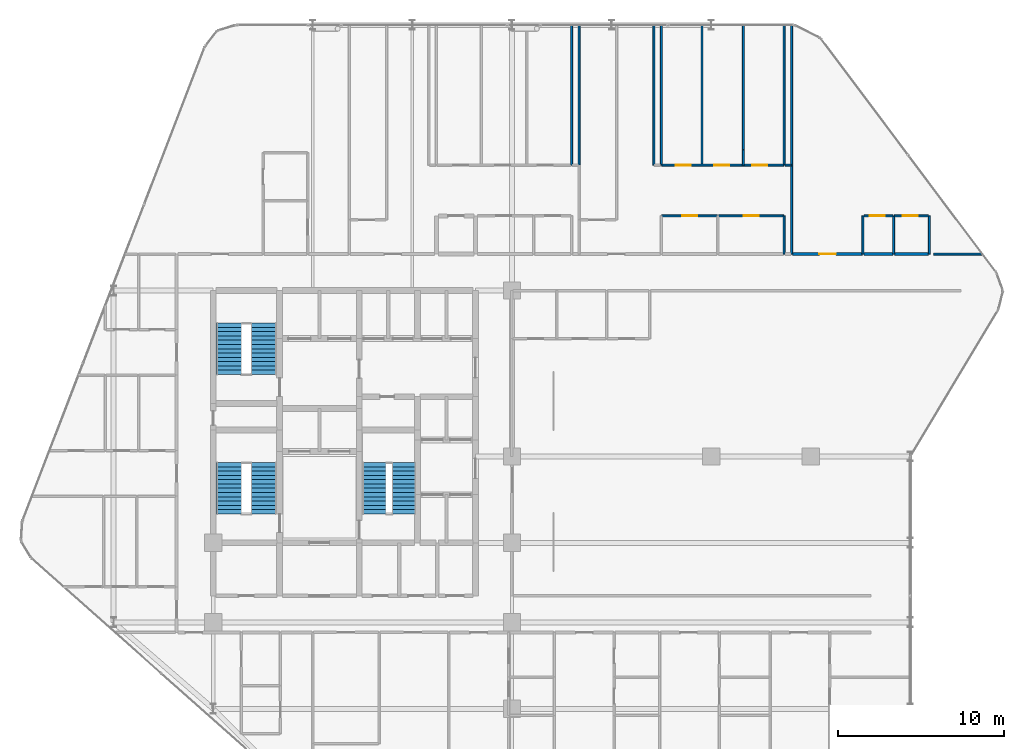
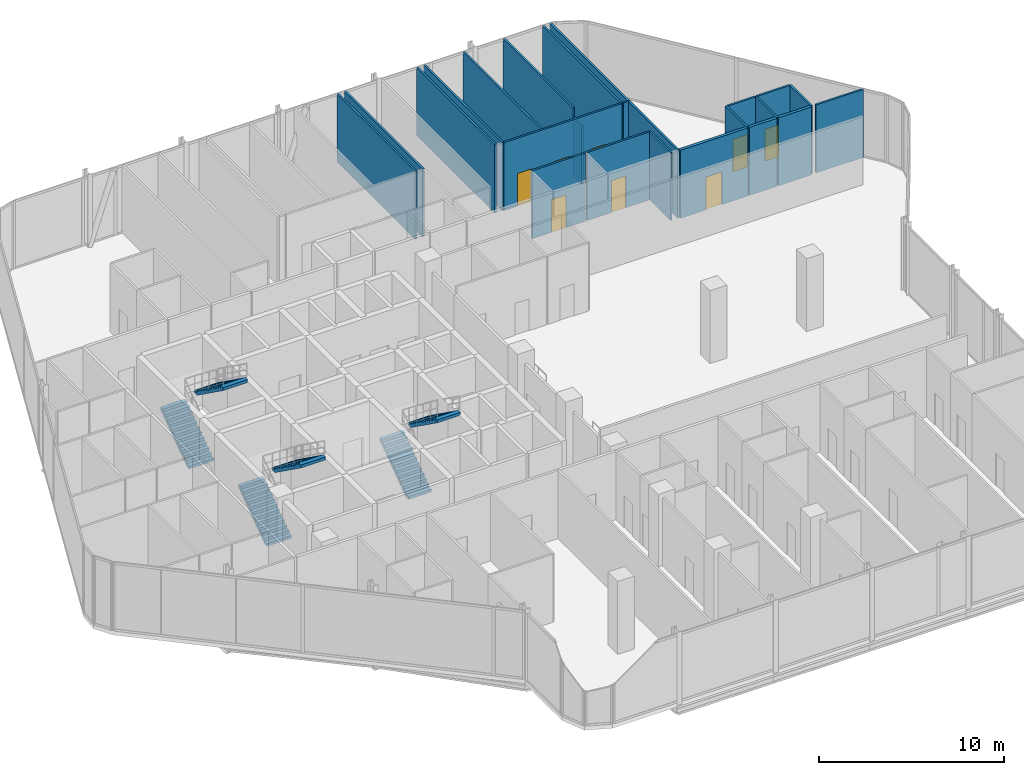
# One storey, part 28 of 29: 24 walls, 8 doors, 6 stair flights, 8 openings, 3 elements without a shape of their own.
"""IFC4 building model written with IfcOpenShell, lengths in metres."""

from ifc_helpers import new_model, si_unit, direction, frame, frame_2d, origin, place, context, subcontext, project, spatial, polyline, rectangle, outline, extrude, material, layer, layer_set, type_object, element, fill, aggregate, save


model = new_model("IFC4")

# Units and contexts
model_context = context("Model", 3, precision=1e-05, world=origin(), true_north=direction((0.0, 1.0)))
body_context = subcontext(model_context, "Body", "Model", "MODEL_VIEW")
ifc_project = project(units=[si_unit("LENGTHUNIT", "METRE"), si_unit("AREAUNIT", "SQUARE_METRE"), si_unit("VOLUMEUNIT", "CUBIC_METRE"), si_unit("PLANEANGLEUNIT", "RADIAN"), si_unit("MASSUNIT", "GRAM", prefix="KILO")], contexts=[model_context])

# Site, building, storey
site_placement = place(None, origin())
site = spatial("IfcSite", under=ifc_project, at=site_placement, CompositionType="ELEMENT")
building_placement = place(site_placement, origin())
building = spatial("IfcBuilding", under=site, at=building_placement, Name="Keshet Zoharim Tower", CompositionType="ELEMENT")
storey_placement = place(building_placement, frame((0.0, 0.0, 120.5)))
storey = spatial("IfcBuildingStorey", under=building, at=storey_placement, Name="L29", CompositionType="ELEMENT", Elevation=120.5)

# Wall, opening, door
ifc_material_1 = material(Name="Gypsum Plasterboard", Category="gypsum")
ifc_layer_1 = layer(ifc_material_1, 0.179931640625)
ifc_layer_set_1 = layer_set([ifc_layer_1], Name="Gypsum Plasterboard")
wall_type_1 = type_object("IfcWallType", Name="WL-CORR-180", PredefinedType="STANDARD", material=ifc_layer_set_1)
wall_1_placement = place(storey_placement, frame((49.9150390625, 40.10009765625, 0.0), z_axis=(0.0, 0.0, 1.0), x_axis=(1.0, 0.0, 0.0)))
wall_1 = element("IfcWall", 1, at=wall_1_placement, inside=storey, type_object=wall_type_1, Name="L29 Interior Wall 198", PredefinedType="STANDARD", context=body_context, shape_type="SweptSolid", body=[
    extrude(rectangle(XDim=4.2099609375, YDim=0.179931640625, at=frame_2d((2.10498046875, 0.0))), origin(), (0.0, 0.0, 1.0), 4.47998046875),
])
opening_1_placement = place(wall_1_placement, frame((1.60498046875, 0.0, 0.0)))
opening_1 = element("IfcOpeningElement", 2, at=opening_1_placement, cuts=wall_1, Name="Opening D-F310", PredefinedType="OPENING", context=body_context, shape_type="SweptSolid", body=[
    extrude(rectangle(XDim=1.0, YDim=2.14990234375, at=frame_2d((0.5, 1.074951171875))), frame((0.0, 0.10009765625, 0.0), z_axis=(0.0, -1.0, 0.0), x_axis=(1.0, 0.0, 0.0)), (0.0, 0.0, 1.0), 0.199951171875),
])
ifc_material_2 = material(Name="Hardwood Timber", Category="wood")
door_type_1 = type_object("IfcDoorType", Name="DR-FD30-100", OperationType="NOTDEFINED", PredefinedType="DOOR", material=ifc_material_2)
door_1_placement = place(opening_1_placement, origin())
door_1 = element("IfcDoor", 3, at=door_1_placement, inside=storey, type_object=door_type_1, Name="Apartment 2909 Entrance Door", OperationType="SINGLE_SWING_RIGHT", OverallHeight=2.14990234375, OverallWidth=1.0, PredefinedType="DOOR", context=body_context, shape_type="SweptSolid", body=[
    extrude(rectangle(XDim=1.0, YDim=2.14990234375, at=frame_2d((0.5, 1.074951171875))), frame((0.0, 0.02490234375, 0.0), z_axis=(0.0, -1.0, 0.0), x_axis=(1.0, 0.0, 0.0)), (0.0, 0.0, 1.0), 0.050048828125),
])
fill(opening_1, door_1)

# Walls
wall_2_placement = place(storey_placement, frame((54.215087890625, 40.10009765625, 0.0), z_axis=(0.0, 0.0, 1.0), x_axis=(1.0, 0.0, 0.0)))
element("IfcWall", 4, at=wall_2_placement, inside=storey, type_object=wall_type_1, Name="L29 Interior Wall 199", PredefinedType="STANDARD", context=body_context, shape_type="SweptSolid", body=[
    extrude(rectangle(XDim=1.73486328125, YDim=0.179931640625, at=frame_2d((0.867431640625, 0.0))), origin(), (0.0, 0.0, 1.0), 4.47998046875),
])
wall_3_placement = place(storey_placement, frame((56.0400390625, 40.10009765625, 0.0), z_axis=(0.0, 0.0, 1.0), x_axis=(1.0, 0.0, 0.0)))
element("IfcWall", 5, at=wall_3_placement, inside=storey, type_object=wall_type_1, Name="L29 Interior Wall 200", PredefinedType="STANDARD", context=body_context, shape_type="SweptSolid", body=[
    extrude(rectangle(XDim=2.052978515625, YDim=0.179931640625, at=frame_2d((1.0263671875, 0.0))), origin(), (0.0, 0.0, 1.0), 4.47998046875),
])
ifc_layer_2 = layer(ifc_material_1, 0.1201171875)
ifc_layer_set_2 = layer_set([ifc_layer_2], Name="Gypsum Plasterboard")
wall_type_2 = type_object("IfcWallType", Name="WL-PART-120", PredefinedType="PARTITIONING", material=ifc_layer_set_2)
for number, where, z_axis, x_axis, name in (
    (6, (36.60009765625, 45.449951171875, 0.0), (0.0, 0.0, 1.0), (0.0, 1.0, 0.0), "L29 Interior Wall 080"),
    (7, (37.050048828125, 45.449951171875, 0.0), (0.0, 0.0, 1.0), (0.0, 1.0, 0.0), "L29 Interior Wall 083"),
    (8, (41.550048828125, 45.449951171875, 0.0), (0.0, 0.0, 1.0), (0.0, 1.0, 0.0), "L29 Interior Wall 090"),
    (9, (42.0, 45.449951171875, 0.0), (0.0, 0.0, 1.0), (0.0, 1.0, 0.0), "L29 Interior Wall 095"),
    (10, (44.449951171875, 45.449951171875, 0.0), (0.0, 0.0, 1.0), (0.0, 1.0, 0.0), "L29 Interior Wall 096"),
):
    element("IfcWall", number, at=place(storey_placement, frame(where, z_axis=z_axis, x_axis=x_axis)), inside=storey, type_object=wall_type_2, Name=name, PredefinedType="PARTITIONING", context=body_context, shape_type="SweptSolid", body=[
        extrude(rectangle(XDim=8.43994140625, YDim=0.1201171875, at=frame_2d((4.219970703125, 0.0))), origin(), (0.0, 0.0, 1.0), 4.47998046875),
    ])
wall_4_placement = place(storey_placement, frame((46.949951171875, 45.449951171875, 0.0), z_axis=(0.0, 0.0, 1.0), x_axis=(0.0, 1.0, 0.0)))
element("IfcWall", 11, at=wall_4_placement, inside=storey, type_object=wall_type_2, Name="L29 Interior Wall 101", PredefinedType="PARTITIONING", context=body_context, shape_type="SweptSolid", body=[
    extrude(rectangle(XDim=0.92724609375, YDim=0.1201171875, at=frame_2d((0.463623046875, 0.0))), origin(), (0.0, 0.0, 1.0), 3.8798828125),
])
wall_5_placement = place(storey_placement, frame((49.39990234375, 45.449951171875, 0.0), z_axis=(0.0, 0.0, 1.0), x_axis=(0.0, 1.0, 0.0)))
element("IfcWall", 12, at=wall_5_placement, inside=storey, type_object=wall_type_2, Name="L29 Interior Wall 106", PredefinedType="PARTITIONING", context=body_context, shape_type="SweptSolid", body=[
    extrude(rectangle(XDim=8.43994140625, YDim=0.1201171875, at=frame_2d((4.219970703125, 0.0))), origin(), (0.0, 0.0, 1.0), 4.47998046875),
])
wall_6_placement = place(storey_placement, frame((49.85009765625, 40.10009765625, 0.0), z_axis=(0.0, 0.0, 1.0), x_axis=(0.0, 1.0, 0.0)))
element("IfcWall", 13, at=wall_6_placement, inside=storey, type_object=wall_type_2, Name="L29 Interior Wall 107", PredefinedType="PARTITIONING", context=body_context, shape_type="SweptSolid", body=[
    extrude(rectangle(XDim=5.349853515625, YDim=0.1201171875, at=frame_2d((2.6748046875, 0.0))), origin(), (0.0, 0.0, 1.0), 4.47998046875),
])
wall_7_placement = place(storey_placement, frame((49.85009765625, 45.449951171875, 0.0), z_axis=(0.0, 0.0, 1.0), x_axis=(0.0, 1.0, 0.0)))
element("IfcWall", 14, at=wall_7_placement, inside=storey, type_object=wall_type_2, Name="L29 Interior Wall 108", PredefinedType="PARTITIONING", context=body_context, shape_type="SweptSolid", body=[
    extrude(rectangle(XDim=8.43994140625, YDim=0.1201171875, at=frame_2d((4.219970703125, 0.0))), origin(), (0.0, 0.0, 1.0), 4.47998046875),
])
wall_8_placement = place(storey_placement, frame((54.14990234375, 40.10009765625, 0.0), z_axis=(0.0, 0.0, 1.0), x_axis=(0.0, 1.0, 0.0)))
element("IfcWall", 15, at=wall_8_placement, inside=storey, type_object=wall_type_2, Name="L29 Interior Wall 112", PredefinedType="PARTITIONING", context=body_context, shape_type="SweptSolid", body=[
    extrude(rectangle(XDim=2.2998046875, YDim=0.1201171875, at=frame_2d((1.14990234375, 0.0))), origin(), (0.0, 0.0, 1.0), 4.47998046875),
])
wall_9_placement = place(storey_placement, frame((58.39990234375, 40.10009765625, 0.0), z_axis=(0.0, 0.0, 1.0), x_axis=(1.0, 0.0, 0.0)))
element("IfcWall", 16, at=wall_9_placement, inside=storey, type_object=wall_type_2, Name="L29 Interior Wall 201", PredefinedType="PARTITIONING", context=body_context, shape_type="SweptSolid", body=[
    extrude(rectangle(XDim=2.940185546875, YDim=0.1201171875, at=frame_2d((1.47021484375, 0.0))), origin(), (0.0, 0.0, 1.0), 4.47998046875),
])

# Wall, opening, door
wall_10_placement = place(storey_placement, frame((42.034912109375, 42.39990234375, 0.0), z_axis=(0.0, 0.0, 1.0), x_axis=(1.0, 0.0, 0.0)))
wall_10 = element("IfcWall", 17, at=wall_10_placement, inside=storey, type_object=wall_type_2, Name="L29 Interior Wall 207", PredefinedType="PARTITIONING", context=body_context, shape_type="SweptSolid", body=[
    extrude(rectangle(XDim=3.328125, YDim=0.1201171875, at=frame_2d((1.6640625, 0.0))), origin(), (0.0, 0.0, 1.0), 4.47998046875),
])
opening_2_placement = place(wall_10_placement, frame((1.214111328125, 0.0, 0.0)))
opening_2 = element("IfcOpeningElement", 18, at=opening_2_placement, cuts=wall_10, Name="Opening D-IN90", PredefinedType="OPENING", context=body_context, shape_type="SweptSolid", body=[
    extrude(rectangle(XDim=0.89990234375, YDim=2.14990234375, at=frame_2d((0.449951171875, 1.074951171875))), frame((0.0, 0.070068359375, 0.0), z_axis=(0.0, -1.0, 0.0), x_axis=(1.0, 0.0, 0.0)), (0.0, 0.0, 1.0), 0.14013671875),
])
door_type_2 = type_object("IfcDoorType", Name="DR-INT-090", OperationType="NOTDEFINED", PredefinedType="DOOR", material=ifc_material_2)
door_2_placement = place(opening_2_placement, origin())
door_2 = element("IfcDoor", 19, at=door_2_placement, inside=storey, type_object=door_type_2, Name="Apartment 2908 Kitchen Door", OperationType="SINGLE_SWING_RIGHT", OverallHeight=2.14990234375, OverallWidth=0.89990234375, PredefinedType="DOOR", context=body_context, shape_type="SweptSolid", body=[
    extrude(rectangle(XDim=0.89990234375, YDim=2.14990234375, at=frame_2d((0.449951171875, 1.074951171875))), frame((0.0, 0.02490234375, 0.0), z_axis=(0.0, -1.0, 0.0), x_axis=(1.0, 0.0, 0.0)), (0.0, 0.0, 1.0), 0.050048828125),
])
fill(opening_2, door_2)

wall_11_placement = place(storey_placement, frame((54.215087890625, 42.39990234375, 0.0), z_axis=(0.0, 0.0, 1.0), x_axis=(1.0, 0.0, 0.0)))
wall_11 = element("IfcWall", 20, at=wall_11_placement, inside=storey, type_object=wall_type_2, Name="L29 Interior Wall 209", PredefinedType="PARTITIONING", context=body_context, shape_type="SweptSolid", body=[
    extrude(rectangle(XDim=1.73486328125, YDim=0.1201171875, at=frame_2d((0.867431640625, 0.0))), origin(), (0.0, 0.0, 1.0), 4.47998046875),
])
opening_3_placement = place(wall_11_placement, frame((0.346923828125, 0.0, 0.0)))
opening_3 = element("IfcOpeningElement", 21, at=opening_3_placement, cuts=wall_11, Name="Opening D-IN90", PredefinedType="OPENING", context=body_context, shape_type="SweptSolid", body=[
    extrude(rectangle(XDim=0.89990234375, YDim=2.14990234375, at=frame_2d((0.449951171875, 1.074951171875))), frame((0.0, 0.070068359375, 0.0), z_axis=(0.0, -1.0, 0.0), x_axis=(1.0, 0.0, 0.0)), (0.0, 0.0, 1.0), 0.14013671875),
])
door_3_placement = place(opening_3_placement, origin())
door_3 = element("IfcDoor", 22, at=door_3_placement, inside=storey, type_object=door_type_2, Name="Apartment 2909 Kitchen Door", OperationType="SINGLE_SWING_RIGHT", OverallHeight=2.14990234375, OverallWidth=0.89990234375, PredefinedType="DOOR", context=body_context, shape_type="SweptSolid", body=[
    extrude(rectangle(XDim=0.89990234375, YDim=2.14990234375, at=frame_2d((0.449951171875, 1.074951171875))), frame((0.0, 0.02490234375, 0.0), z_axis=(0.0, -1.0, 0.0), x_axis=(1.0, 0.0, 0.0)), (0.0, 0.0, 1.0), 0.050048828125),
])
fill(opening_3, door_3)

# Wall, openings, doors
wall_12_placement = place(storey_placement, frame((42.034912109375, 45.449951171875, 0.0), z_axis=(0.0, 0.0, 1.0), x_axis=(1.0, 0.0, 0.0)))
wall_12 = element("IfcWall", 23, at=wall_12_placement, inside=storey, type_object=wall_type_2, Name="L29 Interior Wall 216", PredefinedType="PARTITIONING", context=body_context, shape_type="SweptSolid", body=[
    extrude(rectangle(XDim=7.340087890625, YDim=0.1201171875, at=frame_2d((3.669921875, 0.0))), origin(), (0.0, 0.0, 1.0), 4.47998046875),
])
opening_4_placement = place(wall_12_placement, frame((0.845947265625, 0.0, 0.0)))
opening_4 = element("IfcOpeningElement", 24, at=opening_4_placement, cuts=wall_12, Name="Opening D-IN90", PredefinedType="OPENING", context=body_context, shape_type="SweptSolid", body=[
    extrude(rectangle(XDim=0.89990234375, YDim=2.14990234375, at=frame_2d((0.449951171875, 1.074951171875))), frame((0.0, 0.070068359375, 0.0), z_axis=(0.0, -1.0, 0.0), x_axis=(1.0, 0.0, 0.0)), (0.0, 0.0, 1.0), 0.14013671875),
])
opening_5_placement = place(wall_12_placement, frame((3.14501953125, 0.0, 0.0)))
opening_5 = element("IfcOpeningElement", 25, at=opening_5_placement, cuts=wall_12, Name="Opening D-IN90", PredefinedType="OPENING", context=body_context, shape_type="SweptSolid", body=[
    extrude(rectangle(XDim=0.89990234375, YDim=2.14990234375, at=frame_2d((0.449951171875, 1.074951171875))), frame((0.0, 0.070068359375, 0.0), z_axis=(0.0, -1.0, 0.0), x_axis=(1.0, 0.0, 0.0)), (0.0, 0.0, 1.0), 0.14013671875),
])
opening_6_placement = place(wall_12_placement, frame((5.448974609375, 0.0, 0.0)))
opening_6 = element("IfcOpeningElement", 26, at=opening_6_placement, cuts=wall_12, Name="Opening D-IN90", PredefinedType="OPENING", context=body_context, shape_type="SweptSolid", body=[
    extrude(rectangle(XDim=0.89990234375, YDim=2.14990234375, at=frame_2d((0.449951171875, 1.074951171875))), frame((0.0, 0.070068359375, 0.0), z_axis=(0.0, -1.0, 0.0), x_axis=(1.0, 0.0, 0.0)), (0.0, 0.0, 1.0), 0.14013671875),
])
door_4_placement = place(opening_4_placement, origin())
door_4 = element("IfcDoor", 27, at=door_4_placement, inside=storey, type_object=door_type_2, Name="Apartment 2908 Bedroom 1 Door", OperationType="SINGLE_SWING_LEFT", OverallHeight=2.14990234375, OverallWidth=0.89990234375, PredefinedType="DOOR", context=body_context, shape_type="SweptSolid", body=[
    extrude(rectangle(XDim=0.89990234375, YDim=2.14990234375, at=frame_2d((0.449951171875, 1.074951171875))), frame((0.0, 0.02490234375, 0.0), z_axis=(0.0, -1.0, 0.0), x_axis=(1.0, 0.0, 0.0)), (0.0, 0.0, 1.0), 0.050048828125),
])
fill(opening_4, door_4)
door_5_placement = place(opening_5_placement, origin())
door_5 = element("IfcDoor", 28, at=door_5_placement, inside=storey, type_object=door_type_2, Name="Apartment 2908 Bedroom 2 Door", OperationType="SINGLE_SWING_RIGHT", OverallHeight=2.14990234375, OverallWidth=0.89990234375, PredefinedType="DOOR", context=body_context, shape_type="SweptSolid", body=[
    extrude(rectangle(XDim=0.89990234375, YDim=2.14990234375, at=frame_2d((0.449951171875, 1.074951171875))), frame((0.0, 0.02490234375, 0.0), z_axis=(0.0, -1.0, 0.0), x_axis=(1.0, 0.0, 0.0)), (0.0, 0.0, 1.0), 0.050048828125),
])
fill(opening_5, door_5)
door_6_placement = place(opening_6_placement, origin())
door_6 = element("IfcDoor", 29, at=door_6_placement, inside=storey, type_object=door_type_2, Name="Apartment 2908 Bedroom 3 Door", OperationType="SINGLE_SWING_LEFT", OverallHeight=2.14990234375, OverallWidth=0.89990234375, PredefinedType="DOOR", context=body_context, shape_type="SweptSolid", body=[
    extrude(rectangle(XDim=0.89990234375, YDim=2.14990234375, at=frame_2d((0.449951171875, 1.074951171875))), frame((0.0, 0.02490234375, 0.0), z_axis=(0.0, -1.0, 0.0), x_axis=(1.0, 0.0, 0.0)), (0.0, 0.0, 1.0), 0.050048828125),
])
fill(opening_6, door_6)

# Walls
wall_13_placement = place(storey_placement, frame((49.465087890625, 45.449951171875, 0.0), z_axis=(0.0, 0.0, 1.0), x_axis=(1.0, 0.0, 0.0)))
element("IfcWall", 30, at=wall_13_placement, inside=storey, type_object=wall_type_2, Name="L29 Interior Wall 217", PredefinedType="PARTITIONING", context=body_context, shape_type="SweptSolid", body=[
    extrude(rectangle(XDim=0.35986328125, YDim=0.1201171875, at=frame_2d((0.179931640625, 0.0))), origin(), (0.0, 0.0, 1.0), 4.47998046875),
])
wall_14_placement = place(storey_placement, frame((46.949951171875, 46.377197265625, 0.0), z_axis=(0.0, 0.0, 1.0), x_axis=(0.0, 1.0, 0.0)))
element("IfcWall", 31, at=wall_14_placement, inside=storey, type_object=wall_type_2, Name="L29 Interior Wall 101 Part 2", PredefinedType="PARTITIONING", context=body_context, shape_type="SweptSolid", body=[
    extrude(rectangle(XDim=7.5126953125, YDim=0.1201171875, at=frame_2d((3.75634765625, 0.0))), origin(), (0.0, 0.0, 1.0), 4.47998046875),
])
ifc_layer_3 = layer(ifc_material_1, 0.1201171875)
ifc_layer_set_3 = layer_set([ifc_layer_3], Name="Gypsum Plasterboard")
wall_type_3 = type_object("IfcWallType", Name="WL-WET-120", PredefinedType="PARTITIONING", material=ifc_layer_set_3)
for number, where, z_axis, x_axis, name in (
    (32, (49.39990234375, 40.10009765625, 0.0), (0.0, 0.0, 1.0), (0.0, 1.0, 0.0), "L29 Interior Wall 105"),
    (33, (56.0, 40.10009765625, 0.0), (0.0, 0.0, 1.0), (0.0, 1.0, 0.0), "L29 Interior Wall 113"),
    (34, (58.14990234375, 40.10009765625, 0.0), (0.0, 0.0, 1.0), (0.0, 1.0, 0.0), "L29 Interior Wall 114"),
):
    element("IfcWall", number, at=place(storey_placement, frame(where, z_axis=z_axis, x_axis=x_axis)), inside=storey, type_object=wall_type_3, Name=name, PredefinedType="PARTITIONING", context=body_context, shape_type="SweptSolid", body=[
        extrude(rectangle(XDim=2.2998046875, YDim=0.1201171875, at=frame_2d((1.14990234375, 0.0))), origin(), (0.0, 0.0, 1.0), 4.47998046875),
    ])

# Wall, opening, door
wall_15_placement = place(storey_placement, frame((45.452880859375, 42.39990234375, 0.0), z_axis=(0.0, 0.0, 1.0), x_axis=(1.0, 0.0, 0.0)))
wall_15 = element("IfcWall", 35, at=wall_15_placement, inside=storey, type_object=wall_type_3, Name="L29 Interior Wall 208", PredefinedType="PARTITIONING", context=body_context, shape_type="SweptSolid", body=[
    extrude(rectangle(XDim=3.922119140625, YDim=0.1201171875, at=frame_2d((1.9609375, 0.0))), origin(), (0.0, 0.0, 1.0), 4.47998046875),
])
opening_7_placement = place(wall_15_placement, frame((1.510986328125, 0.0, 0.0)))
opening_7 = element("IfcOpeningElement", 36, at=opening_7_placement, cuts=wall_15, Name="Opening D-WT90", PredefinedType="OPENING", context=body_context, shape_type="SweptSolid", body=[
    extrude(rectangle(XDim=0.89990234375, YDim=2.10009765625, at=frame_2d((0.449951171875, 1.050048828125))), frame((0.0, 0.070068359375, 0.0), z_axis=(0.0, -1.0, 0.0), x_axis=(1.0, 0.0, 0.0)), (0.0, 0.0, 1.0), 0.14013671875),
])
door_type_3 = type_object("IfcDoorType", Name="DR-WET-090", OperationType="NOTDEFINED", PredefinedType="DOOR", material=ifc_material_2)
door_7_placement = place(opening_7_placement, origin())
door_7 = element("IfcDoor", 37, at=door_7_placement, inside=storey, type_object=door_type_3, Name="Apartment 2908 Bathroom Door", OperationType="SINGLE_SWING_LEFT", OverallHeight=2.10009765625, OverallWidth=0.89990234375, PredefinedType="DOOR", context=body_context, shape_type="SweptSolid", body=[
    extrude(rectangle(XDim=0.89990234375, YDim=2.10009765625, at=frame_2d((0.449951171875, 1.050048828125))), frame((0.0, 0.02490234375, 0.0), z_axis=(0.0, -1.0, 0.0), x_axis=(1.0, 0.0, 0.0)), (0.0, 0.0, 1.0), 0.050048828125),
])
fill(opening_7, door_7)

wall_16_placement = place(storey_placement, frame((56.0400390625, 42.39990234375, 0.0), z_axis=(0.0, 0.0, 1.0), x_axis=(1.0, 0.0, 0.0)))
wall_16 = element("IfcWall", 38, at=wall_16_placement, inside=storey, type_object=wall_type_3, Name="L29 Interior Wall 210", PredefinedType="PARTITIONING", context=body_context, shape_type="SweptSolid", body=[
    extrude(rectangle(XDim=2.052978515625, YDim=0.1201171875, at=frame_2d((1.0263671875, 0.0))), origin(), (0.0, 0.0, 1.0), 4.47998046875),
])
opening_8_placement = place(wall_16_placement, frame((0.5029296875, 0.0, 0.0)))
opening_8 = element("IfcOpeningElement", 39, at=opening_8_placement, cuts=wall_16, Name="Opening D-WT90", PredefinedType="OPENING", context=body_context, shape_type="SweptSolid", body=[
    extrude(rectangle(XDim=0.89990234375, YDim=2.10009765625, at=frame_2d((0.449951171875, 1.050048828125))), frame((0.0, 0.070068359375, 0.0), z_axis=(0.0, -1.0, 0.0), x_axis=(1.0, 0.0, 0.0)), (0.0, 0.0, 1.0), 0.14013671875),
])
door_8_placement = place(opening_8_placement, origin())
door_8 = element("IfcDoor", 40, at=door_8_placement, inside=storey, type_object=door_type_3, Name="Apartment 2909 Bathroom Door", OperationType="SINGLE_SWING_LEFT", OverallHeight=2.10009765625, OverallWidth=0.89990234375, PredefinedType="DOOR", context=body_context, shape_type="SweptSolid", body=[
    extrude(rectangle(XDim=0.89990234375, YDim=2.10009765625, at=frame_2d((0.449951171875, 1.050048828125))), frame((0.0, 0.02490234375, 0.0), z_axis=(0.0, -1.0, 0.0), x_axis=(1.0, 0.0, 0.0)), (0.0, 0.0, 1.0), 0.050048828125),
])
fill(opening_8, door_8)

# Stair, stair flights
ifc_material_3 = material(Name="Concrete C50/60", Category="concrete")
stair_type = type_object("IfcStairType", Name="STR-EXIT-135", PredefinedType="HALF_TURN_STAIR", material=ifc_material_3)
stair_1_placement = place(storey_placement, origin())
stair_1 = element("IfcStair", 41, at=stair_1_placement, inside=storey, type_object=stair_type, Name="L29 Enclosed Exit Stair ST-01", PredefinedType="HALF_TURN_STAIR")
stair_flight_type_1 = type_object("IfcStairFlightType", Name="FLT-PRE-135", PredefinedType="STRAIGHT", material=ifc_material_3)
stair_flight_1_placement = place(storey_placement, frame((15.945068359375, 24.43994140625, 0.0), z_axis=(0.0, 0.0, 1.0), x_axis=(0.0, 1.0, 0.0)))
stair_flight_1 = element("IfcStairFlight", 42, at=stair_flight_1_placement, type_object=stair_flight_type_1, Name="ST-01 flight 1", NumberOfRisers=13, NumberOfTreads=12, PredefinedType="STRAIGHT", RiserHeight=0.184615, TreadLength=0.258, context=body_context, shape_type="SweptSolid", body=[
    extrude(outline(polyline([(0.0, 0.0), (0.0, 0.1845703125), (0.258056640625, 0.1845703125), (0.258056640625, 0.369140625), (0.51611328125, 0.369140625), (0.51611328125, 0.553955078125), (0.77392578125, 0.553955078125), (0.77392578125, 0.738525390625), (1.031982421875, 0.738525390625), (1.031982421875, 0.923095703125), (1.2900390625, 0.923095703125), (1.2900390625, 1.107666015625), (1.548095703125, 1.107666015625), (1.548095703125, 1.292236328125), (1.805908203125, 1.292236328125), (1.805908203125, 1.476806640625), (2.06396484375, 1.476806640625), (2.06396484375, 1.66162109375), (2.322021484375, 1.66162109375), (2.322021484375, 1.84619140625), (2.580078125, 1.84619140625), (2.580078125, 2.03076171875), (2.837890625, 2.03076171875), (2.837890625, 2.21533203125), (3.095947265625, 2.21533203125), (3.095947265625, 2.39990234375), (3.095947265625, 2.018798828125), (0.27490234375, 0.0), (0.0, 0.0)])), frame((0.0, 0.76513671875, 0.0), z_axis=(0.0, -1.0, 0.0), x_axis=(1.0, 0.0, 0.0)), (0.0, 0.0, 1.0), 1.530029296875),
])
stair_flight_2_placement = place(storey_placement, frame((18.054931640625, 27.535888671875, 2.39990234375), z_axis=(0.0, 0.0, 1.0), x_axis=(0.0, -1.0, 0.0)))
stair_flight_2 = element("IfcStairFlight", 43, at=stair_flight_2_placement, type_object=stair_flight_type_1, Name="ST-01 flight 2", NumberOfRisers=13, NumberOfTreads=12, PredefinedType="STRAIGHT", RiserHeight=0.184615, TreadLength=0.258, context=body_context, shape_type="SweptSolid", body=[
    extrude(outline(polyline([(0.0, 0.0), (0.0, 0.1845703125), (0.258056640625, 0.1845703125), (0.258056640625, 0.369140625), (0.51611328125, 0.369140625), (0.51611328125, 0.553955078125), (0.77392578125, 0.553955078125), (0.77392578125, 0.738525390625), (1.031982421875, 0.738525390625), (1.031982421875, 0.923095703125), (1.2900390625, 0.923095703125), (1.2900390625, 1.107666015625), (1.548095703125, 1.107666015625), (1.548095703125, 1.292236328125), (1.805908203125, 1.292236328125), (1.805908203125, 1.476806640625), (2.06396484375, 1.476806640625), (2.06396484375, 1.66162109375), (2.322021484375, 1.66162109375), (2.322021484375, 1.84619140625), (2.580078125, 1.84619140625), (2.580078125, 2.03076171875), (2.837890625, 2.03076171875), (2.837890625, 2.21533203125), (3.095947265625, 2.21533203125), (3.095947265625, 2.39990234375), (3.095947265625, 2.018798828125), (0.27490234375, 0.0), (0.0, 0.0)])), frame((0.0, 0.76513671875, 0.0), z_axis=(0.0, -1.0, 0.0), x_axis=(1.0, 0.0, 0.0)), (0.0, 0.0, 1.0), 1.530029296875),
])
aggregate(stair_1, [stair_flight_1, stair_flight_2])

stair_2_placement = place(storey_placement, origin())
stair_2 = element("IfcStair", 44, at=stair_2_placement, inside=storey, type_object=stair_type, Name="L29 Enclosed Exit Stair ST-02", PredefinedType="HALF_TURN_STAIR")
stair_flight_3_placement = place(storey_placement, frame((15.945068359375, 32.840087890625, 0.0), z_axis=(0.0, 0.0, 1.0), x_axis=(0.0, 1.0, 0.0)))
stair_flight_3 = element("IfcStairFlight", 45, at=stair_flight_3_placement, type_object=stair_flight_type_1, Name="ST-02 flight 1", NumberOfRisers=13, NumberOfTreads=12, PredefinedType="STRAIGHT", RiserHeight=0.184615, TreadLength=0.258, context=body_context, shape_type="SweptSolid", body=[
    extrude(outline(polyline([(0.0, 0.0), (0.0, 0.1845703125), (0.258056640625, 0.1845703125), (0.258056640625, 0.369140625), (0.51611328125, 0.369140625), (0.51611328125, 0.553955078125), (0.77392578125, 0.553955078125), (0.77392578125, 0.738525390625), (1.031982421875, 0.738525390625), (1.031982421875, 0.923095703125), (1.2900390625, 0.923095703125), (1.2900390625, 1.107666015625), (1.548095703125, 1.107666015625), (1.548095703125, 1.292236328125), (1.805908203125, 1.292236328125), (1.805908203125, 1.476806640625), (2.06396484375, 1.476806640625), (2.06396484375, 1.66162109375), (2.322021484375, 1.66162109375), (2.322021484375, 1.84619140625), (2.580078125, 1.84619140625), (2.580078125, 2.03076171875), (2.837890625, 2.03076171875), (2.837890625, 2.21533203125), (3.095947265625, 2.21533203125), (3.095947265625, 2.39990234375), (3.095947265625, 2.018798828125), (0.27490234375, 0.0), (0.0, 0.0)])), frame((0.0, 0.76513671875, 0.0), z_axis=(0.0, -1.0, 0.0), x_axis=(1.0, 0.0, 0.0)), (0.0, 0.0, 1.0), 1.530029296875),
])
stair_flight_4_placement = place(storey_placement, frame((18.054931640625, 35.93603515625, 2.39990234375), z_axis=(0.0, 0.0, 1.0), x_axis=(0.0, -1.0, 0.0)))
stair_flight_4 = element("IfcStairFlight", 46, at=stair_flight_4_placement, type_object=stair_flight_type_1, Name="ST-02 flight 2", NumberOfRisers=13, NumberOfTreads=12, PredefinedType="STRAIGHT", RiserHeight=0.184615, TreadLength=0.258, context=body_context, shape_type="SweptSolid", body=[
    extrude(outline(polyline([(0.0, 0.0), (0.0, 0.1845703125), (0.258056640625, 0.1845703125), (0.258056640625, 0.369140625), (0.51611328125, 0.369140625), (0.51611328125, 0.553955078125), (0.77392578125, 0.553955078125), (0.77392578125, 0.738525390625), (1.031982421875, 0.738525390625), (1.031982421875, 0.923095703125), (1.2900390625, 0.923095703125), (1.2900390625, 1.107666015625), (1.548095703125, 1.107666015625), (1.548095703125, 1.292236328125), (1.805908203125, 1.292236328125), (1.805908203125, 1.476806640625), (2.06396484375, 1.476806640625), (2.06396484375, 1.66162109375), (2.322021484375, 1.66162109375), (2.322021484375, 1.84619140625), (2.580078125, 1.84619140625), (2.580078125, 2.03076171875), (2.837890625, 2.03076171875), (2.837890625, 2.21533203125), (3.095947265625, 2.21533203125), (3.095947265625, 2.39990234375), (3.095947265625, 2.018798828125), (0.27490234375, 0.0), (0.0, 0.0)])), frame((0.0, 0.76513671875, 0.0), z_axis=(0.0, -1.0, 0.0), x_axis=(1.0, 0.0, 0.0)), (0.0, 0.0, 1.0), 1.530029296875),
])
aggregate(stair_2, [stair_flight_3, stair_flight_4])

stair_3_placement = place(storey_placement, origin())
stair_3 = element("IfcStair", 47, at=stair_3_placement, inside=storey, type_object=stair_type, Name="L29 Enclosed Exit Stair ST-03", PredefinedType="HALF_TURN_STAIR")
stair_flight_type_2 = type_object("IfcStairFlightType", Name="FLT-PRE-144", PredefinedType="STRAIGHT", material=ifc_material_3)
stair_flight_5_placement = place(storey_placement, frame((24.699951171875, 24.43994140625, 0.0), z_axis=(0.0, 0.0, 1.0), x_axis=(0.0, 1.0, 0.0)))
stair_flight_5 = element("IfcStairFlight", 48, at=stair_flight_5_placement, type_object=stair_flight_type_2, Name="ST-03 flight 1", NumberOfRisers=13, NumberOfTreads=12, PredefinedType="STRAIGHT", RiserHeight=0.184615, TreadLength=0.258, context=body_context, shape_type="SweptSolid", body=[
    extrude(outline(polyline([(0.0, 0.0), (0.0, 0.1845703125), (0.258056640625, 0.1845703125), (0.258056640625, 0.369140625), (0.51611328125, 0.369140625), (0.51611328125, 0.553955078125), (0.77392578125, 0.553955078125), (0.77392578125, 0.738525390625), (1.031982421875, 0.738525390625), (1.031982421875, 0.923095703125), (1.2900390625, 0.923095703125), (1.2900390625, 1.107666015625), (1.548095703125, 1.107666015625), (1.548095703125, 1.292236328125), (1.805908203125, 1.292236328125), (1.805908203125, 1.476806640625), (2.06396484375, 1.476806640625), (2.06396484375, 1.66162109375), (2.322021484375, 1.66162109375), (2.322021484375, 1.84619140625), (2.580078125, 1.84619140625), (2.580078125, 2.03076171875), (2.837890625, 2.03076171875), (2.837890625, 2.21533203125), (3.095947265625, 2.21533203125), (3.095947265625, 2.39990234375), (3.095947265625, 2.018798828125), (0.27490234375, 0.0), (0.0, 0.0)])), frame((0.0, 0.719970703125, 0.0), z_axis=(0.0, -1.0, 0.0), x_axis=(1.0, 0.0, 0.0)), (0.0, 0.0, 1.0), 1.43994140625),
])
stair_flight_6_placement = place(storey_placement, frame((26.5, 27.535888671875, 2.39990234375), z_axis=(0.0, 0.0, 1.0), x_axis=(0.0, -1.0, 0.0)))
stair_flight_6 = element("IfcStairFlight", 49, at=stair_flight_6_placement, type_object=stair_flight_type_2, Name="ST-03 flight 2", NumberOfRisers=13, NumberOfTreads=12, PredefinedType="STRAIGHT", RiserHeight=0.184615, TreadLength=0.258, context=body_context, shape_type="SweptSolid", body=[
    extrude(outline(polyline([(0.0, 0.0), (0.0, 0.1845703125), (0.258056640625, 0.1845703125), (0.258056640625, 0.369140625), (0.51611328125, 0.369140625), (0.51611328125, 0.553955078125), (0.77392578125, 0.553955078125), (0.77392578125, 0.738525390625), (1.031982421875, 0.738525390625), (1.031982421875, 0.923095703125), (1.2900390625, 0.923095703125), (1.2900390625, 1.107666015625), (1.548095703125, 1.107666015625), (1.548095703125, 1.292236328125), (1.805908203125, 1.292236328125), (1.805908203125, 1.476806640625), (2.06396484375, 1.476806640625), (2.06396484375, 1.66162109375), (2.322021484375, 1.66162109375), (2.322021484375, 1.84619140625), (2.580078125, 1.84619140625), (2.580078125, 2.03076171875), (2.837890625, 2.03076171875), (2.837890625, 2.21533203125), (3.095947265625, 2.21533203125), (3.095947265625, 2.39990234375), (3.095947265625, 2.018798828125), (0.27490234375, 0.0), (0.0, 0.0)])), frame((0.0, 0.719970703125, 0.0), z_axis=(0.0, -1.0, 0.0), x_axis=(1.0, 0.0, 0.0)), (0.0, 0.0, 1.0), 1.43994140625),
])
aggregate(stair_3, [stair_flight_5, stair_flight_6])

save(model, "model.ifc")
